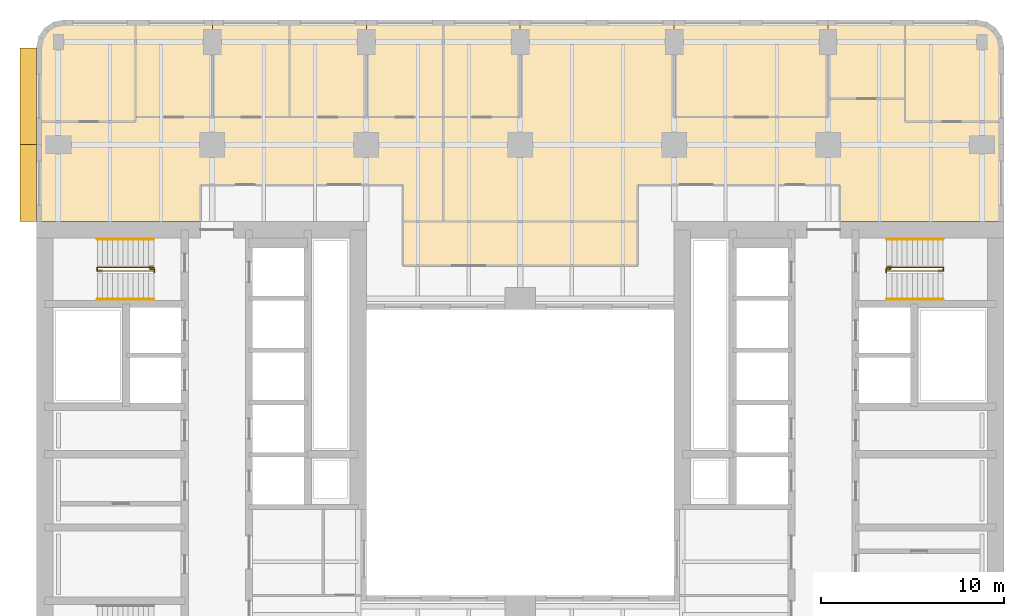
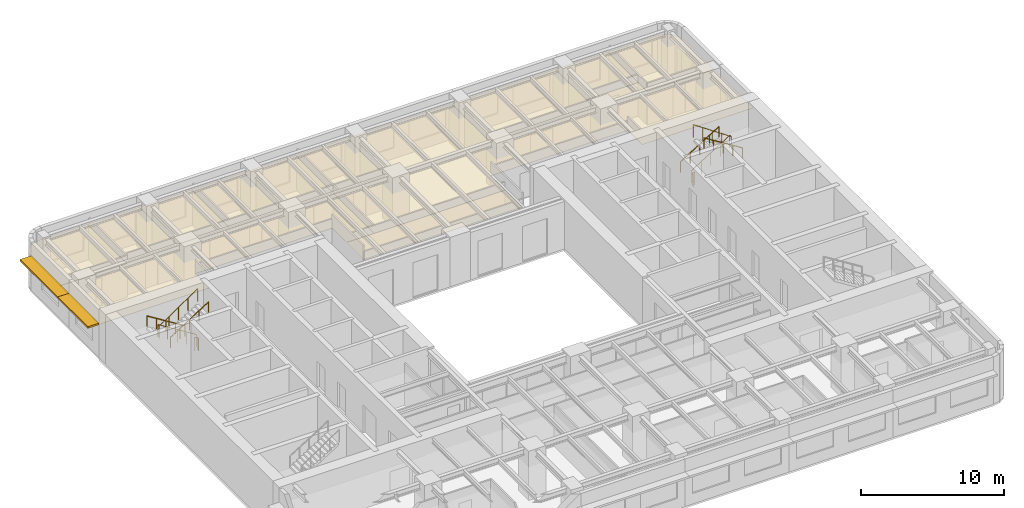
# One storey, part 11 of 11: 12 coverings, 8 railings, 2 shading devices.
"""IFC4 building model written with IfcOpenShell, lengths in metres."""

from ifc_helpers import new_model, si_unit, direction, frame, origin, origin_2d, place, context, subcontext, project, spatial, polyline, rectangle, circle, outline, extrude, material, layer, layer_set, type_object, element, save


model = new_model("IFC4")

# Units and contexts
model_context = context("Model", 3, precision=1e-05, world=origin(), true_north=direction((0.0, 1.0)))
body_context = subcontext(model_context, "Body", "Model", "MODEL_VIEW")
ifc_project = project(units=[si_unit("LENGTHUNIT", "METRE"), si_unit("AREAUNIT", "SQUARE_METRE"), si_unit("VOLUMEUNIT", "CUBIC_METRE"), si_unit("PLANEANGLEUNIT", "RADIAN"), si_unit("MASSUNIT", "GRAM", prefix="KILO")], contexts=[model_context])

# Site, building, storey
site_placement = place(None, origin())
site = spatial("IfcSite", under=ifc_project, at=site_placement, CompositionType="ELEMENT")
building_placement = place(site_placement, origin())
building = spatial("IfcBuilding", under=site, at=building_placement, Name="Claustro Exchange Tower", CompositionType="ELEMENT")
storey_placement = place(building_placement, frame((0.0, 0.0, 147.0)))
storey = spatial("IfcBuildingStorey", under=building, at=storey_placement, Name="L33", CompositionType="ELEMENT", Elevation=147.0)

# Coverings
ifc_material_1 = material(Name="Perforated metal ceiling tiles", Category="steel")
ifc_layer_1 = layer(ifc_material_1, 0.030029296875)
ifc_layer_set_1 = layer_set([ifc_layer_1], Name="Perforated metal ceiling tiles")
covering_type_1 = type_object("IfcCoveringType", Name="CL1 suspended metal ceiling", PredefinedType="CEILING", material=ifc_layer_set_1)
covering_1_placement = place(storey_placement, frame((0.0, 0.0, 2.800048828125)))
element("IfcCovering", 1, at=covering_1_placement, inside=storey, type_object=covering_type_1, Name="Ceiling CL1 L33-16", PredefinedType="CEILING", context=body_context, shape_type="SweptSolid", body=[
    extrude(outline(polyline([(-1.199951171875, 43.25), (-1.199951171875, 37.800048828125), (7.75, 37.800048828125), (7.75, 39.800048828125), (16.800048828125, 39.800048828125), (18.800048828125, 39.800048828125), (18.800048828125, 37.800048828125), (21.0, 37.800048828125), (21.0, 43.5), (16.800048828125, 43.5), (12.60009765625, 43.5), (8.39990234375, 43.5), (4.199951171875, 43.5), (4.199951171875, 43.25), (-1.199951171875, 43.25)])), origin(), (0.0, 0.0, 1.0), 0.030029296875),
])
ifc_material_2 = material(Name="Gypsum board ceiling", Category="gypsum board")
ifc_layer_2 = layer(ifc_material_2, 0.02490234375)
ifc_layer_set_2 = layer_set([ifc_layer_2], Name="Gypsum board ceiling")
covering_type_2 = type_object("IfcCoveringType", Name="CL2 plasterboard ceiling", PredefinedType="CEILING", material=ifc_layer_set_2)
covering_2_placement = place(storey_placement, frame((0.0, 0.0, 2.800048828125)))
element("IfcCovering", 2, at=covering_2_placement, inside=storey, type_object=covering_type_2, Name="Ceiling CL2 L33-15", PredefinedType="CEILING", context=body_context, shape_type="SweptSolid", body=[
    extrude(outline(polyline([(18.800048828125, 35.39990234375), (31.60009765625, 35.39990234375), (31.60009765625, 37.800048828125), (18.800048828125, 37.800048828125), (18.800048828125, 35.39990234375)])), origin(), (0.0, 0.0, 1.0), 0.02490234375),
])
covering_3_placement = place(storey_placement, frame((0.0, 0.0, 2.800048828125)))
element("IfcCovering", 3, at=covering_3_placement, inside=storey, type_object=covering_type_2, Name="Ceiling CL2 L33-17", PredefinedType="CEILING", context=body_context, shape_type="SweptSolid", body=[
    extrude(outline(polyline([(33.60009765625, 48.800048828125), (25.199951171875, 48.800048828125), (25.199951171875, 43.5), (21.0, 43.5), (21.0, 37.800048828125), (31.60009765625, 37.800048828125), (31.60009765625, 39.800048828125), (42.64990234375, 39.800048828125), (42.64990234375, 37.800048828125), (51.60009765625, 37.800048828125), (51.60009765625, 43.25), (46.199951171875, 43.25), (46.199951171875, 44.5), (42.0, 44.5), (42.0, 43.5), (33.60009765625, 43.5), (33.60009765625, 48.800048828125)])), origin(), (0.0, 0.0, 1.0), 0.02490234375),
])
covering_4_placement = place(storey_placement, frame((0.0, 0.0, 2.800048828125)))
element("IfcCovering", 4, at=covering_4_placement, inside=storey, type_object=covering_type_2, Name="Ceiling CL2 L33-18", PredefinedType="CEILING", context=body_context, shape_type="SweptSolid", body=[
    extrude(outline(polyline([(-1.199951171875, 47.300048828125), (-1.199951171875, 43.25), (4.199951171875, 43.25), (4.199951171875, 48.800048828125), (0.300048828125, 48.800048828125), (-0.27392578125, 48.685791015625), (-0.7607421875, 48.360595703125), (-1.085693359375, 47.8740234375), (-1.199951171875, 47.300048828125)])), origin(), (0.0, 0.0, 1.0), 0.02490234375),
])
covering_5_placement = place(storey_placement, frame((0.0, 0.0, 2.800048828125)))
element("IfcCovering", 5, at=covering_5_placement, inside=storey, type_object=covering_type_2, Name="Ceiling CL2 L33-19", PredefinedType="CEILING", context=body_context, shape_type="SweptSolid", body=[
    extrude(outline(polyline([(50.10009765625, 48.800048828125), (46.199951171875, 48.800048828125), (46.199951171875, 43.25), (51.60009765625, 43.25), (51.60009765625, 47.300048828125), (51.48583984375, 47.8740234375), (51.16064453125, 48.360595703125), (50.674072265625, 48.685791015625), (50.10009765625, 48.800048828125)])), origin(), (0.0, 0.0, 1.0), 0.02490234375),
])
covering_6_placement = place(storey_placement, frame((0.0, 0.0, 2.800048828125)))
element("IfcCovering", 6, at=covering_6_placement, inside=storey, type_object=covering_type_2, Name="Ceiling CL2 L33-20", PredefinedType="CEILING", context=body_context, shape_type="SweptSolid", body=[
    extrude(outline(polyline([(8.39990234375, 48.800048828125), (4.199951171875, 48.800048828125), (4.199951171875, 43.5), (8.39990234375, 43.5), (8.39990234375, 48.800048828125)])), origin(), (0.0, 0.0, 1.0), 0.02490234375),
])
covering_7_placement = place(storey_placement, frame((0.0, 0.0, 2.800048828125)))
element("IfcCovering", 7, at=covering_7_placement, inside=storey, type_object=covering_type_2, Name="Ceiling CL2 L33-21", PredefinedType="CEILING", context=body_context, shape_type="SweptSolid", body=[
    extrude(outline(polyline([(12.60009765625, 48.800048828125), (8.39990234375, 48.800048828125), (8.39990234375, 43.5), (12.60009765625, 43.5), (12.60009765625, 48.800048828125)])), origin(), (0.0, 0.0, 1.0), 0.02490234375),
])
covering_8_placement = place(storey_placement, frame((0.0, 0.0, 2.800048828125)))
element("IfcCovering", 8, at=covering_8_placement, inside=storey, type_object=covering_type_2, Name="Ceiling CL2 L33-22", PredefinedType="CEILING", context=body_context, shape_type="SweptSolid", body=[
    extrude(outline(polyline([(16.800048828125, 48.800048828125), (12.60009765625, 48.800048828125), (12.60009765625, 43.5), (16.800048828125, 43.5), (16.800048828125, 48.800048828125)])), origin(), (0.0, 0.0, 1.0), 0.02490234375),
])
covering_9_placement = place(storey_placement, frame((0.0, 0.0, 2.800048828125)))
element("IfcCovering", 9, at=covering_9_placement, inside=storey, type_object=covering_type_2, Name="Ceiling CL2 L33-23", PredefinedType="CEILING", context=body_context, shape_type="SweptSolid", body=[
    extrude(outline(polyline([(21.0, 48.800048828125), (16.800048828125, 48.800048828125), (16.800048828125, 43.5), (21.0, 43.5), (21.0, 48.800048828125)])), origin(), (0.0, 0.0, 1.0), 0.02490234375),
])
covering_10_placement = place(storey_placement, frame((0.0, 0.0, 2.800048828125)))
element("IfcCovering", 10, at=covering_10_placement, inside=storey, type_object=covering_type_2, Name="Ceiling CL2 L33-24", PredefinedType="CEILING", context=body_context, shape_type="SweptSolid", body=[
    extrude(outline(polyline([(25.199951171875, 48.800048828125), (21.0, 48.800048828125), (21.0, 43.5), (25.199951171875, 43.5), (25.199951171875, 48.800048828125)])), origin(), (0.0, 0.0, 1.0), 0.02490234375),
])
covering_11_placement = place(storey_placement, frame((0.0, 0.0, 2.800048828125)))
element("IfcCovering", 11, at=covering_11_placement, inside=storey, type_object=covering_type_2, Name="Ceiling CL2 L33-25", PredefinedType="CEILING", context=body_context, shape_type="SweptSolid", body=[
    extrude(outline(polyline([(42.0, 48.800048828125), (33.60009765625, 48.800048828125), (33.60009765625, 43.5), (42.0, 43.5), (42.0, 48.800048828125)])), origin(), (0.0, 0.0, 1.0), 0.02490234375),
])
covering_12_placement = place(storey_placement, frame((0.0, 0.0, 2.800048828125)))
element("IfcCovering", 12, at=covering_12_placement, inside=storey, type_object=covering_type_2, Name="Ceiling CL2 L33-26", PredefinedType="CEILING", context=body_context, shape_type="SweptSolid", body=[
    extrude(outline(polyline([(46.199951171875, 48.800048828125), (42.0, 48.800048828125), (42.0, 44.5), (46.199951171875, 44.5), (46.199951171875, 48.800048828125)])), origin(), (0.0, 0.0, 1.0), 0.02490234375),
])

# Railings
ifc_material_3 = material(Name="Steel balustrade, painted", Category="steel")
railing_type_1 = type_object("IfcRailingType", Name="GR2 1100 steel stair guard", PredefinedType="GUARDRAIL", material=ifc_material_3)
railing_1_placement = place(storey_placement, frame((5.199951171875, 35.300048828125, 0.175048828125)))
element("IfcRailing", 13, at=railing_1_placement, inside=storey, type_object=railing_type_1, Name="Stair well guard GR2 stair STWB L33", PredefinedType="GUARDRAIL", context=body_context, shape_type="SweptSolid", body=[
    extrude(circle(Radius=0.02392578125, at=origin_2d()), frame((0.0, 0.0, 1.076171875), z_axis=(-0.847979421464, 0.0, 0.530029150871), x_axis=(0.0, -1.0, 0.0)), (0.0, 0.0, 1.0), 3.632080078125),
    extrude(circle(Radius=0.02392578125, at=origin_2d()), frame((-3.079833984375, 0.0, 3.0009765625), z_axis=(0.0, -1.0, 0.0), x_axis=(1.0, 0.0, 0.0)), (0.0, 0.0, 1.0), 0.199951171875),
    extrude(circle(Radius=0.02392578125, at=origin_2d()), frame((-3.079833984375, -0.199951171875, 3.0009765625), z_axis=(0.826231499792, 0.0, 0.563330727682), x_axis=(0.0, 1.0, 0.0)), (0.0, 0.0, 1.0), 3.7275390625),
    extrude(circle(Radius=0.02099609375, at=origin_2d()), origin(), (0.0, 0.0, 1.0), 1.052001953125),
    extrude(circle(Radius=0.02099609375, at=origin_2d()), frame((-0.77001953125, 0.0, 0.481201171875)), (0.0, 0.0, 1.0), 1.052001953125),
    extrude(circle(Radius=0.02099609375, at=origin_2d()), frame((-1.5400390625, 0.0, 0.96240234375)), (0.0, 0.0, 1.0), 1.052001953125),
    extrude(circle(Radius=0.02099609375, at=origin_2d()), frame((-2.309814453125, 0.0, 1.44384765625)), (0.0, 0.0, 1.0), 1.052001953125),
    extrude(circle(Radius=0.02099609375, at=origin_2d()), frame((-3.079833984375, 0.0, 1.925048828125)), (0.0, 0.0, 1.0), 1.052001953125),
    extrude(circle(Radius=0.02099609375, at=origin_2d()), frame((-3.079833984375, -0.199951171875, 1.925048828125)), (0.0, 0.0, 1.0), 1.052001953125),
    extrude(circle(Radius=0.02099609375, at=origin_2d()), frame((-2.309814453125, -0.199951171875, 2.449951171875)), (0.0, 0.0, 1.0), 1.052001953125),
    extrude(circle(Radius=0.02099609375, at=origin_2d()), frame((-1.5400390625, -0.199951171875, 2.97509765625)), (0.0, 0.0, 1.0), 1.052001953125),
    extrude(circle(Radius=0.02099609375, at=origin_2d()), frame((-0.77001953125, -0.199951171875, 3.5)), (0.0, 0.0, 1.0), 1.052001953125),
    extrude(circle(Radius=0.02099609375, at=origin_2d()), frame((0.0, -0.199951171875, 4.02490234375)), (0.0, 0.0, 1.0), 1.052001953125),
])
railing_2_placement = place(storey_placement, frame((5.0, 35.22998046875, 0.0)))
element("IfcRailing", 14, at=railing_2_placement, inside=storey, type_object=railing_type_1, Name="Stair guard GR2 STWB L33", PredefinedType="GUARDRAIL", context=body_context, shape_type="SweptSolid", body=[
    extrude(circle(Radius=0.02392578125, at=origin_2d()), frame((0.0, 0.0, 1.076171875), z_axis=(0.0, -1.0, 0.0), x_axis=(1.0, 0.0, 0.0)), (0.0, 0.0, 1.0), 0.030029296875),
    extrude(circle(Radius=0.02392578125, at=origin_2d()), frame((0.0, -0.030029296875, 1.076171875), z_axis=(1.0, 0.0, 0.0), x_axis=(0.0, 1.0, 0.0)), (0.0, 0.0, 1.0), 0.22509765625),
    extrude(circle(Radius=0.02392578125, at=origin_2d()), frame((0.22509765625, -0.030029296875, 1.076171875), z_axis=(0.0, -1.0, 0.0), x_axis=(1.0, 0.0, 0.0)), (0.0, 0.0, 1.0), 0.179931640625),
    extrude(circle(Radius=0.02099609375, at=origin_2d()), origin(), (0.0, 0.0, 1.0), 1.052001953125),
    extrude(circle(Radius=0.02099609375, at=origin_2d()), frame((0.0, -0.030029296875, 0.0)), (0.0, 0.0, 1.0), 1.052001953125),
    extrude(circle(Radius=0.02099609375, at=origin_2d()), frame((0.22509765625, -0.030029296875, 0.0)), (0.0, 0.0, 1.0), 1.052001953125),
    extrude(circle(Radius=0.02099609375, at=origin_2d()), frame((0.22509765625, -0.2099609375, 0.0)), (0.0, 0.0, 1.0), 1.052001953125),
])
railing_3_placement = place(storey_placement, frame((45.199951171875, 35.300048828125, 0.175048828125)))
element("IfcRailing", 15, at=railing_3_placement, inside=storey, type_object=railing_type_1, Name="Stair well guard GR2 stair STEB L33", PredefinedType="GUARDRAIL", context=body_context, shape_type="SweptSolid", body=[
    extrude(circle(Radius=0.02392578125, at=origin_2d()), frame((0.0, 0.0, 1.076171875), z_axis=(0.847998304005, 0.0, 0.529998940003), x_axis=(0.0, 1.0, 0.0)), (0.0, 0.0, 1.0), 3.632080078125),
    extrude(circle(Radius=0.02392578125, at=origin_2d()), frame((3.080078125, 0.0, 3.0009765625), z_axis=(0.0, -1.0, 0.0), x_axis=(1.0, 0.0, 0.0)), (0.0, 0.0, 1.0), 0.199951171875),
    extrude(circle(Radius=0.02392578125, at=origin_2d()), frame((3.080078125, -0.199951171875, 3.0009765625), z_axis=(-0.826252282691, 0.0, 0.563300244406), x_axis=(0.0, -1.0, 0.0)), (0.0, 0.0, 1.0), 3.727783203125),
    extrude(circle(Radius=0.02099609375, at=origin_2d()), origin(), (0.0, 0.0, 1.0), 1.052001953125),
    extrude(circle(Radius=0.02099609375, at=origin_2d()), frame((0.77001953125, 0.0, 0.481201171875)), (0.0, 0.0, 1.0), 1.052001953125),
    extrude(circle(Radius=0.02099609375, at=origin_2d()), frame((1.5400390625, 0.0, 0.96240234375)), (0.0, 0.0, 1.0), 1.052001953125),
    extrude(circle(Radius=0.02099609375, at=origin_2d()), frame((2.31005859375, 0.0, 1.44384765625)), (0.0, 0.0, 1.0), 1.052001953125),
    extrude(circle(Radius=0.02099609375, at=origin_2d()), frame((3.080078125, 0.0, 1.925048828125)), (0.0, 0.0, 1.0), 1.052001953125),
    extrude(circle(Radius=0.02099609375, at=origin_2d()), frame((3.080078125, -0.199951171875, 1.925048828125)), (0.0, 0.0, 1.0), 1.052001953125),
    extrude(circle(Radius=0.02099609375, at=origin_2d()), frame((2.31005859375, -0.199951171875, 2.449951171875)), (0.0, 0.0, 1.0), 1.052001953125),
    extrude(circle(Radius=0.02099609375, at=origin_2d()), frame((1.5400390625, -0.199951171875, 2.97509765625)), (0.0, 0.0, 1.0), 1.052001953125),
    extrude(circle(Radius=0.02099609375, at=origin_2d()), frame((0.77001953125, -0.199951171875, 3.5)), (0.0, 0.0, 1.0), 1.052001953125),
    extrude(circle(Radius=0.02099609375, at=origin_2d()), frame((0.0, -0.199951171875, 4.02490234375)), (0.0, 0.0, 1.0), 1.052001953125),
])
railing_4_placement = place(storey_placement, frame((45.39990234375, 35.22998046875, 0.0)))
element("IfcRailing", 16, at=railing_4_placement, inside=storey, type_object=railing_type_1, Name="Stair guard GR2 STEB L33", PredefinedType="GUARDRAIL", context=body_context, shape_type="SweptSolid", body=[
    extrude(circle(Radius=0.02392578125, at=origin_2d()), frame((0.0, 0.0, 1.076171875), z_axis=(0.0, -1.0, 0.0), x_axis=(1.0, 0.0, 0.0)), (0.0, 0.0, 1.0), 0.030029296875),
    extrude(circle(Radius=0.02392578125, at=origin_2d()), frame((0.0, -0.030029296875, 1.076171875), z_axis=(-1.0, 0.0, 0.0), x_axis=(0.0, -1.0, 0.0)), (0.0, 0.0, 1.0), 0.224853515625),
    extrude(circle(Radius=0.02392578125, at=origin_2d()), frame((-0.224853515625, -0.030029296875, 1.076171875), z_axis=(0.0, -1.0, 0.0), x_axis=(1.0, 0.0, 0.0)), (0.0, 0.0, 1.0), 0.179931640625),
    extrude(circle(Radius=0.02099609375, at=origin_2d()), origin(), (0.0, 0.0, 1.0), 1.052001953125),
    extrude(circle(Radius=0.02099609375, at=origin_2d()), frame((0.0, -0.030029296875, 0.0)), (0.0, 0.0, 1.0), 1.052001953125),
    extrude(circle(Radius=0.02099609375, at=origin_2d()), frame((-0.224853515625, -0.030029296875, 0.0)), (0.0, 0.0, 1.0), 1.052001953125),
    extrude(circle(Radius=0.02099609375, at=origin_2d()), frame((-0.224853515625, -0.2099609375, 0.0)), (0.0, 0.0, 1.0), 1.052001953125),
])
ifc_material_4 = material(Name="Stainless steel tube", Category="steel")
railing_type_2 = type_object("IfcRailingType", Name="HR1 900 stair handrail", PredefinedType="HANDRAIL", material=ifc_material_4)
railing_5_placement = place(storey_placement, frame((5.199951171875, 36.840087890625, 0.175048828125)))
element("IfcRailing", 17, at=railing_5_placement, inside=storey, type_object=railing_type_2, Name="Handrail HR1 stair STWB L33", PredefinedType="HANDRAIL", context=body_context, shape_type="SweptSolid", body=[
    extrude(circle(Radius=0.02392578125, at=origin_2d()), frame((0.0, 0.0, 0.8759765625), z_axis=(-0.847979421464, 0.0, 0.530029150871), x_axis=(0.0, -1.0, 0.0)), (0.0, 0.0, 1.0), 3.632080078125),
    extrude(circle(Radius=0.02099609375, at=origin_2d()), origin(), (0.0, 0.0, 1.0), 0.851806640625),
    extrude(circle(Radius=0.02099609375, at=origin_2d()), frame((-0.77001953125, 0.0, 0.481201171875)), (0.0, 0.0, 1.0), 0.851806640625),
    extrude(circle(Radius=0.02099609375, at=origin_2d()), frame((-1.5400390625, 0.0, 0.96240234375)), (0.0, 0.0, 1.0), 0.851806640625),
    extrude(circle(Radius=0.02099609375, at=origin_2d()), frame((-2.309814453125, 0.0, 1.44384765625)), (0.0, 0.0, 1.0), 0.851806640625),
    extrude(circle(Radius=0.02099609375, at=origin_2d()), frame((-3.079833984375, 0.0, 1.925048828125)), (0.0, 0.0, 1.0), 0.851806640625),
])
railing_6_placement = place(storey_placement, frame((2.1201171875, 33.56005859375, 2.27490234375)))
element("IfcRailing", 18, at=railing_6_placement, inside=storey, type_object=railing_type_2, Name="Handrail HR1 stair STWB L33", PredefinedType="HANDRAIL", context=body_context, shape_type="SweptSolid", body=[
    extrude(circle(Radius=0.02392578125, at=origin_2d()), frame((0.0, 0.0, 0.8759765625), z_axis=(0.847979421464, 0.0, 0.530029150871), x_axis=(0.0, 1.0, 0.0)), (0.0, 0.0, 1.0), 3.632080078125),
    extrude(circle(Radius=0.02099609375, at=origin_2d()), origin(), (0.0, 0.0, 1.0), 0.851806640625),
    extrude(circle(Radius=0.02099609375, at=origin_2d()), frame((0.77001953125, 0.0, 0.481201171875)), (0.0, 0.0, 1.0), 0.851806640625),
    extrude(circle(Radius=0.02099609375, at=origin_2d()), frame((1.5400390625, 0.0, 0.96240234375)), (0.0, 0.0, 1.0), 0.851806640625),
    extrude(circle(Radius=0.02099609375, at=origin_2d()), frame((2.309814453125, 0.0, 1.44384765625)), (0.0, 0.0, 1.0), 0.851806640625),
    extrude(circle(Radius=0.02099609375, at=origin_2d()), frame((3.079833984375, 0.0, 1.925048828125)), (0.0, 0.0, 1.0), 0.851806640625),
])
railing_7_placement = place(storey_placement, frame((45.199951171875, 36.840087890625, 0.175048828125)))
element("IfcRailing", 19, at=railing_7_placement, inside=storey, type_object=railing_type_2, Name="Handrail HR1 stair STEB L33", PredefinedType="HANDRAIL", context=body_context, shape_type="SweptSolid", body=[
    extrude(circle(Radius=0.02392578125, at=origin_2d()), frame((0.0, 0.0, 0.8759765625), z_axis=(0.847998304005, 0.0, 0.529998940003), x_axis=(0.0, 1.0, 0.0)), (0.0, 0.0, 1.0), 3.632080078125),
    extrude(circle(Radius=0.02099609375, at=origin_2d()), origin(), (0.0, 0.0, 1.0), 0.851806640625),
    extrude(circle(Radius=0.02099609375, at=origin_2d()), frame((0.77001953125, 0.0, 0.481201171875)), (0.0, 0.0, 1.0), 0.851806640625),
    extrude(circle(Radius=0.02099609375, at=origin_2d()), frame((1.5400390625, 0.0, 0.96240234375)), (0.0, 0.0, 1.0), 0.851806640625),
    extrude(circle(Radius=0.02099609375, at=origin_2d()), frame((2.31005859375, 0.0, 1.44384765625)), (0.0, 0.0, 1.0), 0.851806640625),
    extrude(circle(Radius=0.02099609375, at=origin_2d()), frame((3.080078125, 0.0, 1.925048828125)), (0.0, 0.0, 1.0), 0.851806640625),
])
railing_8_placement = place(storey_placement, frame((48.280029296875, 33.56005859375, 2.27490234375)))
element("IfcRailing", 20, at=railing_8_placement, inside=storey, type_object=railing_type_2, Name="Handrail HR1 stair STEB L33", PredefinedType="HANDRAIL", context=body_context, shape_type="SweptSolid", body=[
    extrude(circle(Radius=0.02392578125, at=origin_2d()), frame((0.0, 0.0, 0.8759765625), z_axis=(-0.847998304005, 0.0, 0.529998940003), x_axis=(0.0, -1.0, 0.0)), (0.0, 0.0, 1.0), 3.632080078125),
    extrude(circle(Radius=0.02099609375, at=origin_2d()), origin(), (0.0, 0.0, 1.0), 0.851806640625),
    extrude(circle(Radius=0.02099609375, at=origin_2d()), frame((-0.77001953125, 0.0, 0.481201171875)), (0.0, 0.0, 1.0), 0.851806640625),
    extrude(circle(Radius=0.02099609375, at=origin_2d()), frame((-1.5400390625, 0.0, 0.96240234375)), (0.0, 0.0, 1.0), 0.851806640625),
    extrude(circle(Radius=0.02099609375, at=origin_2d()), frame((-2.31005859375, 0.0, 1.44384765625)), (0.0, 0.0, 1.0), 0.851806640625),
    extrude(circle(Radius=0.02099609375, at=origin_2d()), frame((-3.080078125, 0.0, 1.925048828125)), (0.0, 0.0, 1.0), 0.851806640625),
])

# Shading devices
ifc_material_5 = material(Name="Concrete HA-40 (C40/50), precast, white cement, acid-etched", Category="concrete")
ifc_layer_3 = layer(ifc_material_5, 0.14990234375)
ifc_layer_set_3 = layer_set([ifc_layer_3], Name="Concrete HA-40 (C40/50), precast, white cement, acid-etched")
shading_device_type = type_object("IfcShadingDeviceType", Name="SS2 900 precast concrete SUNSHADE", PredefinedType="SHUTTER", material=ifc_layer_set_3)
shading_device_1_placement = place(storey_placement, frame((-1.64990234375, 39.89990234375, 2.800048828125), z_axis=(0.0, 0.0, 1.0), x_axis=(0.0, 1.0, 0.0)))
element("IfcShadingDevice", 21, at=shading_device_1_placement, inside=storey, type_object=shading_device_type, Name="Precast SUNSHADE SS2 L33", PredefinedType="SHUTTER", context=body_context, shape_type="SweptSolid", body=[
    extrude(rectangle(XDim=4.199951171875, YDim=0.89990234375, at=origin_2d()), origin(), (0.0, 0.0, 1.0), 0.14990234375),
])
shading_device_2_placement = place(storey_placement, frame((-1.64990234375, 44.642578125, 2.800048828125), z_axis=(0.0, 0.0, 1.0), x_axis=(0.0, 1.0, 0.0)))
element("IfcShadingDevice", 22, at=shading_device_2_placement, inside=storey, type_object=shading_device_type, Name="Precast SUNSHADE SS2 L33", PredefinedType="SHUTTER", context=body_context, shape_type="SweptSolid", body=[
    extrude(rectangle(XDim=5.28515625, YDim=0.89990234375, at=origin_2d()), origin(), (0.0, 0.0, 1.0), 0.14990234375),
])

save(model, "model.ifc")
